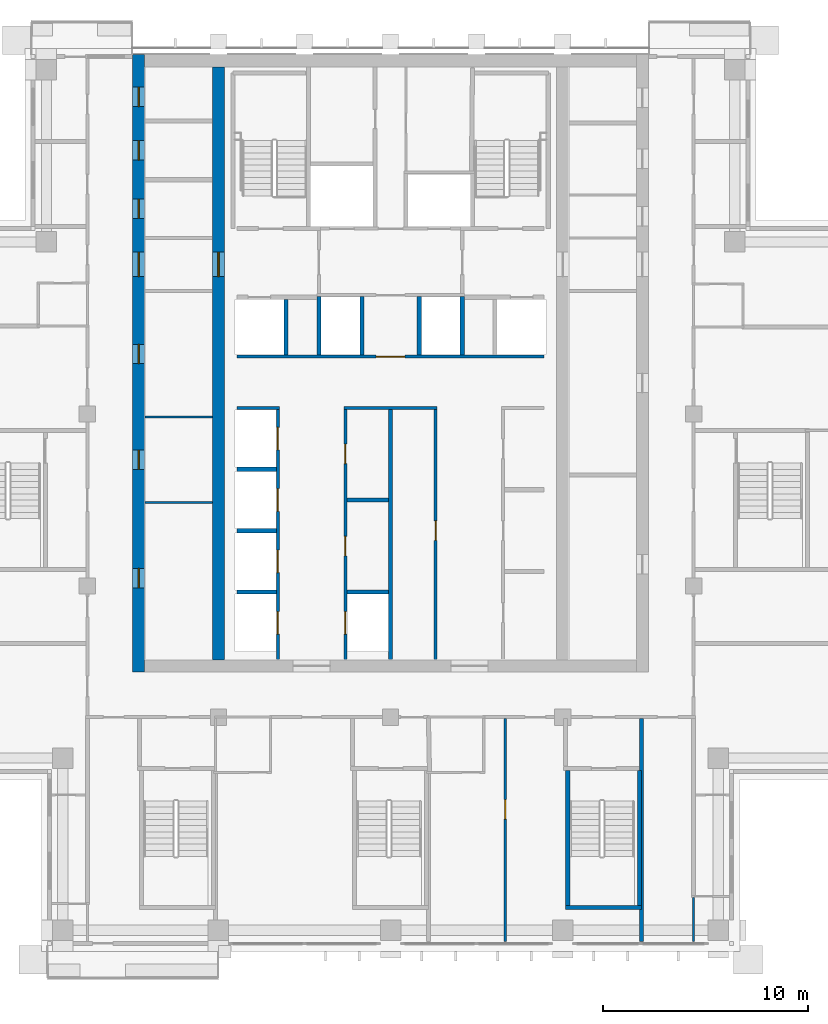
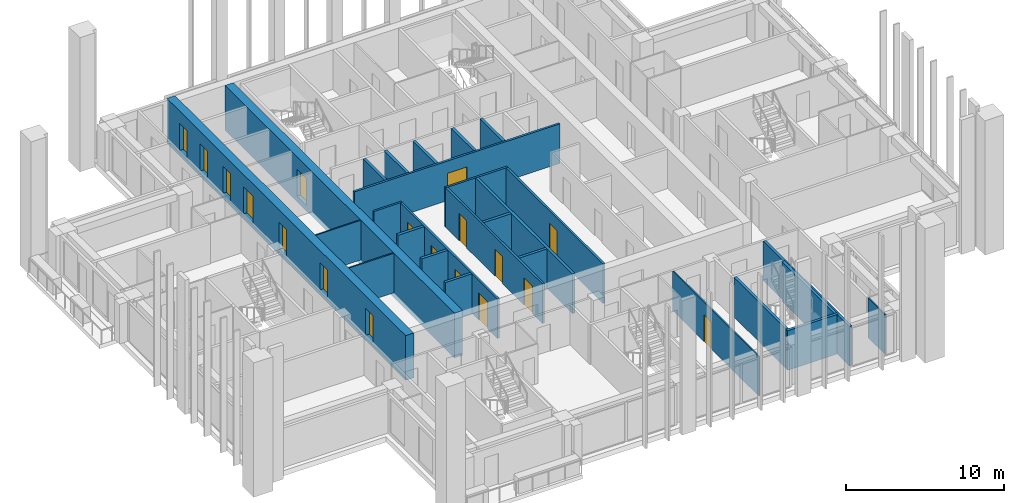
# One storey, part 9 of 17: 27 walls, 18 doors, 18 openings.
"""IFC4 building model written with IfcOpenShell, lengths in metres."""

from ifc_helpers import new_model, si_unit, direction, frame, frame_2d, origin, place, context, subcontext, project, spatial, rectangle, extrude, material, layer, layer_set, type_object, element, fill, save


model = new_model("IFC4")

# Units and contexts
model_context = context("Model", 3, precision=1e-05, world=origin(), true_north=direction((0.0, 1.0)))
body_context = subcontext(model_context, "Body", "Model", "MODEL_VIEW")
ifc_project = project(units=[si_unit("LENGTHUNIT", "METRE"), si_unit("AREAUNIT", "SQUARE_METRE"), si_unit("VOLUMEUNIT", "CUBIC_METRE"), si_unit("PLANEANGLEUNIT", "RADIAN"), si_unit("MASSUNIT", "GRAM", prefix="KILO")], contexts=[model_context])

# Site, building, storey
site_placement = place(None, origin())
site = spatial("IfcSite", under=ifc_project, at=site_placement, CompositionType="ELEMENT")
building_placement = place(site_placement, origin())
building = spatial("IfcBuilding", under=site, at=building_placement, Name="Vermilion Ogive Tower", CompositionType="ELEMENT")
storey_placement = place(building_placement, frame((0.0, 0.0, 175.550048828125)))
storey = spatial("IfcBuildingStorey", under=building, at=storey_placement, Name="L45", CompositionType="ELEMENT", Elevation=175.550048828125)

# Wall, openings, doors
ifc_material_1 = material(Name="Concrete B60", Category="concrete")
ifc_layer_1 = layer(ifc_material_1, 0.60009765625)
ifc_layer_set_1 = layer_set([ifc_layer_1], Name="Core wall 600 B60")
wall_type_1 = type_object("IfcWallType", Name="Core wall 600 B60", PredefinedType="SHEAR", material=ifc_layer_set_1)
wall_1_placement = place(storey_placement, frame((-12.300048828125, -8.39990234375, -0.400146484375), z_axis=(0.0, 0.0, 1.0), x_axis=(0.0, 1.0, 0.0)))
wall_1 = element("IfcWall", 1, at=wall_1_placement, inside=storey, type_object=wall_type_1, Name="L45-CORE-W", PredefinedType="SHEAR", context=body_context, shape_type="SweptSolid", body=[
    extrude(rectangle(XDim=30.14990234375, YDim=0.60009765625, at=frame_2d((15.074951171875, 0.0))), origin(), (0.0, 0.0, 1.0), 3.4501953125),
])
opening_1_placement = place(wall_1_placement, frame((4.112548828125, 0.0, 0.39990234375)))
opening_1 = element("IfcOpeningElement", 2, at=opening_1_placement, cuts=wall_1, Name="Opening DAD067", PredefinedType="OPENING", context=body_context, shape_type="SweptSolid", body=[
    extrude(rectangle(XDim=0.949951171875, YDim=2.10009765625, at=frame_2d((0.47509765625, 1.050048828125))), frame((0.0, 0.31005859375, 0.0), z_axis=(0.0, -1.0, 0.0), x_axis=(1.0, 0.0, 0.0)), (0.0, 0.0, 1.0), 0.6201171875),
])
opening_2_placement = place(wall_1_placement, frame((9.8896484375, 0.0, 0.39990234375)))
opening_2 = element("IfcOpeningElement", 3, at=opening_2_placement, cuts=wall_1, Name="Opening DAD068", PredefinedType="OPENING", context=body_context, shape_type="SweptSolid", body=[
    extrude(rectangle(XDim=0.949951171875, YDim=2.10009765625, at=frame_2d((0.47509765625, 1.050048828125))), frame((0.0, 0.31005859375, 0.0), z_axis=(0.0, -1.0, 0.0), x_axis=(1.0, 0.0, 0.0)), (0.0, 0.0, 1.0), 0.6201171875),
])
opening_3_placement = place(wall_1_placement, frame((15.052001953125, 0.0, 0.39990234375)))
opening_3 = element("IfcOpeningElement", 4, at=opening_3_placement, cuts=wall_1, Name="Opening DAD069", PredefinedType="OPENING", context=body_context, shape_type="SweptSolid", body=[
    extrude(rectangle(XDim=0.949951171875, YDim=2.10009765625, at=frame_2d((0.47509765625, 1.050048828125))), frame((0.0, 0.31005859375, 0.0), z_axis=(0.0, -1.0, 0.0), x_axis=(1.0, 0.0, 0.0)), (0.0, 0.0, 1.0), 0.6201171875),
])
opening_4_placement = place(wall_1_placement, frame((22.1435546875, 0.0, 0.39990234375)))
opening_4 = element("IfcOpeningElement", 5, at=opening_4_placement, cuts=wall_1, Name="Opening DAD070", PredefinedType="OPENING", context=body_context, shape_type="SweptSolid", body=[
    extrude(rectangle(XDim=0.949951171875, YDim=2.10009765625, at=frame_2d((0.47509765625, 1.050048828125))), frame((0.0, 0.31005859375, 0.0), z_axis=(0.0, -1.0, 0.0), x_axis=(1.0, 0.0, 0.0)), (0.0, 0.0, 1.0), 0.6201171875),
])
opening_5_placement = place(wall_1_placement, frame((24.998291015625, 0.0, 0.39990234375)))
opening_5 = element("IfcOpeningElement", 6, at=opening_5_placement, cuts=wall_1, Name="Opening DAD071", PredefinedType="OPENING", context=body_context, shape_type="SweptSolid", body=[
    extrude(rectangle(XDim=0.949951171875, YDim=2.10009765625, at=frame_2d((0.47509765625, 1.050048828125))), frame((0.0, 0.31005859375, 0.0), z_axis=(0.0, -1.0, 0.0), x_axis=(1.0, 0.0, 0.0)), (0.0, 0.0, 1.0), 0.6201171875),
])
opening_6_placement = place(wall_1_placement, frame((27.604736328125, 0.0, 0.39990234375)))
opening_6 = element("IfcOpeningElement", 7, at=opening_6_placement, cuts=wall_1, Name="Opening DAD072", PredefinedType="OPENING", context=body_context, shape_type="SweptSolid", body=[
    extrude(rectangle(XDim=0.949951171875, YDim=2.10009765625, at=frame_2d((0.47509765625, 1.050048828125))), frame((0.0, 0.31005859375, 0.0), z_axis=(0.0, -1.0, 0.0), x_axis=(1.0, 0.0, 0.0)), (0.0, 0.0, 1.0), 0.6201171875),
])
opening_7_placement = place(wall_1_placement, frame((19.300048828125, 0.0, 0.39990234375)))
opening_7 = element("IfcOpeningElement", 8, at=opening_7_placement, cuts=wall_1, Name="Opening DAM018", PredefinedType="OPENING", context=body_context, shape_type="SweptSolid", body=[
    extrude(rectangle(XDim=1.199951171875, YDim=2.10009765625, at=frame_2d((0.60009765625, 1.050048828125))), frame((0.0, 0.31005859375, 0.0), z_axis=(0.0, -1.0, 0.0), x_axis=(1.0, 0.0, 0.0)), (0.0, 0.0, 1.0), 0.6201171875),
])
ifc_material_2 = material(Name="Timber door leaf", Category="wood")
door_type_1 = type_object("IfcDoorType", Name="Link door 1200 x 2100 FD60S", OperationType="SINGLE_SWING_LEFT", PredefinedType="DOOR", material=ifc_material_2)
door_1_placement = place(opening_7_placement, origin())
door_1 = element("IfcDoor", 9, at=door_1_placement, inside=storey, type_object=door_type_1, Name="L45-CKW-XL", OperationType="SINGLE_SWING_LEFT", OverallHeight=2.10009765625, OverallWidth=1.199951171875, PredefinedType="DOOR", context=body_context, shape_type="SweptSolid", body=[
    extrude(rectangle(XDim=1.199951171875, YDim=2.10009765625, at=frame_2d((0.60009765625, 1.050048828125))), frame((0.0, 0.02490234375, 0.0), z_axis=(0.0, -1.0, 0.0), x_axis=(1.0, 0.0, 0.0)), (0.0, 0.0, 1.0), 0.050048828125),
])
fill(opening_7, door_1)
ifc_material_3 = material(Name="Timber door leaf", Category="wood")
door_type_2 = type_object("IfcDoorType", Name="Service door 950 x 2100 FD60", OperationType="SINGLE_SWING_LEFT", PredefinedType="DOOR", material=ifc_material_3)
door_2_placement = place(opening_1_placement, origin())
door_2 = element("IfcDoor", 10, at=door_2_placement, inside=storey, type_object=door_type_2, Name="L45-CKW-XR0", OperationType="SINGLE_SWING_LEFT", OverallHeight=2.10009765625, OverallWidth=0.949951171875, PredefinedType="DOOR", context=body_context, shape_type="SweptSolid", body=[
    extrude(rectangle(XDim=0.949951171875, YDim=2.10009765625, at=frame_2d((0.47509765625, 1.050048828125))), frame((0.0, 0.02490234375, 0.0), z_axis=(0.0, -1.0, 0.0), x_axis=(1.0, 0.0, 0.0)), (0.0, 0.0, 1.0), 0.050048828125),
])
fill(opening_1, door_2)
door_3_placement = place(opening_2_placement, origin())
door_3 = element("IfcDoor", 11, at=door_3_placement, inside=storey, type_object=door_type_2, Name="L45-CKW-XR1", OperationType="SINGLE_SWING_LEFT", OverallHeight=2.10009765625, OverallWidth=0.949951171875, PredefinedType="DOOR", context=body_context, shape_type="SweptSolid", body=[
    extrude(rectangle(XDim=0.949951171875, YDim=2.10009765625, at=frame_2d((0.47509765625, 1.050048828125))), frame((0.0, 0.02490234375, 0.0), z_axis=(0.0, -1.0, 0.0), x_axis=(1.0, 0.0, 0.0)), (0.0, 0.0, 1.0), 0.050048828125),
])
fill(opening_2, door_3)
door_4_placement = place(opening_3_placement, origin())
door_4 = element("IfcDoor", 12, at=door_4_placement, inside=storey, type_object=door_type_2, Name="L45-CKW-XR2", OperationType="SINGLE_SWING_LEFT", OverallHeight=2.10009765625, OverallWidth=0.949951171875, PredefinedType="DOOR", context=body_context, shape_type="SweptSolid", body=[
    extrude(rectangle(XDim=0.949951171875, YDim=2.10009765625, at=frame_2d((0.47509765625, 1.050048828125))), frame((0.0, 0.02490234375, 0.0), z_axis=(0.0, -1.0, 0.0), x_axis=(1.0, 0.0, 0.0)), (0.0, 0.0, 1.0), 0.050048828125),
])
fill(opening_3, door_4)
door_5_placement = place(opening_4_placement, origin())
door_5 = element("IfcDoor", 13, at=door_5_placement, inside=storey, type_object=door_type_2, Name="L45-CKW-XR3", OperationType="SINGLE_SWING_LEFT", OverallHeight=2.10009765625, OverallWidth=0.949951171875, PredefinedType="DOOR", context=body_context, shape_type="SweptSolid", body=[
    extrude(rectangle(XDim=0.949951171875, YDim=2.10009765625, at=frame_2d((0.47509765625, 1.050048828125))), frame((0.0, 0.02490234375, 0.0), z_axis=(0.0, -1.0, 0.0), x_axis=(1.0, 0.0, 0.0)), (0.0, 0.0, 1.0), 0.050048828125),
])
fill(opening_4, door_5)
door_6_placement = place(opening_5_placement, origin())
door_6 = element("IfcDoor", 14, at=door_6_placement, inside=storey, type_object=door_type_2, Name="L45-CKW-XR4", OperationType="SINGLE_SWING_LEFT", OverallHeight=2.10009765625, OverallWidth=0.949951171875, PredefinedType="DOOR", context=body_context, shape_type="SweptSolid", body=[
    extrude(rectangle(XDim=0.949951171875, YDim=2.10009765625, at=frame_2d((0.47509765625, 1.050048828125))), frame((0.0, 0.02490234375, 0.0), z_axis=(0.0, -1.0, 0.0), x_axis=(1.0, 0.0, 0.0)), (0.0, 0.0, 1.0), 0.050048828125),
])
fill(opening_5, door_6)
door_7_placement = place(opening_6_placement, origin())
door_7 = element("IfcDoor", 15, at=door_7_placement, inside=storey, type_object=door_type_2, Name="L45-CKW-XR5", OperationType="SINGLE_SWING_LEFT", OverallHeight=2.10009765625, OverallWidth=0.949951171875, PredefinedType="DOOR", context=body_context, shape_type="SweptSolid", body=[
    extrude(rectangle(XDim=0.949951171875, YDim=2.10009765625, at=frame_2d((0.47509765625, 1.050048828125))), frame((0.0, 0.02490234375, 0.0), z_axis=(0.0, -1.0, 0.0), x_axis=(1.0, 0.0, 0.0)), (0.0, 0.0, 1.0), 0.050048828125),
])
fill(opening_6, door_7)

# Wall, opening, door
wall_2_placement = place(storey_placement, frame((-8.39990234375, -7.800048828125, -0.400146484375), z_axis=(0.0, 0.0, 1.0), x_axis=(0.0, 1.0, 0.0)))
wall_2 = element("IfcWall", 16, at=wall_2_placement, inside=storey, type_object=wall_type_1, Name="L45-CORE-WEB1", PredefinedType="SHEAR", context=body_context, shape_type="SweptSolid", body=[
    extrude(rectangle(XDim=28.949951171875, YDim=0.60009765625, at=frame_2d((14.47509765625, 0.0))), origin(), (0.0, 0.0, 1.0), 3.4501953125),
])
opening_8_placement = place(wall_2_placement, frame((18.699951171875, 0.0, 0.39990234375)))
opening_8 = element("IfcOpeningElement", 17, at=opening_8_placement, cuts=wall_2, Name="Opening DAP013", PredefinedType="OPENING", context=body_context, shape_type="SweptSolid", body=[
    extrude(rectangle(XDim=1.199951171875, YDim=2.10009765625, at=frame_2d((0.60009765625, 1.050048828125))), frame((0.0, 0.31005859375, 0.0), z_axis=(0.0, -1.0, 0.0), x_axis=(1.0, 0.0, 0.0)), (0.0, 0.0, 1.0), 0.6201171875),
])
door_8_placement = place(opening_8_placement, origin())
door_8 = element("IfcDoor", 18, at=door_8_placement, inside=storey, type_object=door_type_1, Name="L45-CKW-XW", OperationType="SINGLE_SWING_LEFT", OverallHeight=2.10009765625, OverallWidth=1.199951171875, PredefinedType="DOOR", context=body_context, shape_type="SweptSolid", body=[
    extrude(rectangle(XDim=1.199951171875, YDim=2.10009765625, at=frame_2d((0.60009765625, 1.050048828125))), frame((0.0, 0.02490234375, 0.0), z_axis=(0.0, -1.0, 0.0), x_axis=(1.0, 0.0, 0.0)), (0.0, 0.0, 1.0), 0.050048828125),
])
fill(opening_8, door_8)

# Walls
ifc_material_4 = material(Name="Gypsum board partition on steel studs", Category="steel")
ifc_layer_2 = layer(ifc_material_4, 0.10009765625)
ifc_layer_set_2 = layer_set([ifc_layer_2], Name="Partition 100 bath")
wall_type_2 = type_object("IfcWallType", Name="Partition 100 bath", PredefinedType="PARTITIONING", material=ifc_layer_set_2)
wall_3_placement = place(storey_placement, frame((14.800048828125, -21.550048828125, 0.0), z_axis=(0.0, 0.0, 1.0), x_axis=(0.0, 1.0, 0.0)))
element("IfcWall", 19, at=wall_3_placement, inside=storey, type_object=wall_type_2, Name="L45-W-W070", PredefinedType="PARTITIONING", context=body_context, shape_type="SweptSolid", body=[
    extrude(rectangle(XDim=2.150146484375, YDim=0.10009765625, at=frame_2d((1.0751953125, 0.0))), origin(), (0.0, 0.0, 1.0), 3.050048828125),
])
for number, where, z_axis, x_axis, name in (
    (20, (-11.9990234375, -0.125, 0.0), (0.0, 0.0, 1.0), (1.0, 0.0, 0.0), "L45-CKW-W-W001"),
    (21, (-11.9990234375, 4.053955078125, 0.0), (0.0, 0.0, 1.0), (1.0, 0.0, 0.0), "L45-CKW-W-W002"),
):
    element("IfcWall", number, at=place(storey_placement, frame(where, z_axis=z_axis, x_axis=x_axis)), inside=storey, type_object=wall_type_2, Name=name, PredefinedType="PARTITIONING", context=body_context, shape_type="SweptSolid", body=[
        extrude(rectangle(XDim=3.298095703125, YDim=0.10009765625, at=frame_2d((1.64892578125, 0.0))), origin(), (0.0, 0.0, 1.0), 3.050048828125),
    ])

# Wall, opening, door
ifc_material_5 = material(Name="Gypsum board partition on steel studs", Category="steel")
ifc_layer_3 = layer(ifc_material_5, 0.10009765625)
ifc_layer_set_3 = layer_set([ifc_layer_3], Name="Partition 100 inner")
wall_type_3 = type_object("IfcWallType", Name="Partition 100 inner", PredefinedType="PARTITIONING", material=ifc_layer_set_3)
wall_4_placement = place(storey_placement, frame((5.60009765625, -21.550048828125, 0.0), z_axis=(0.0, 0.0, 1.0), x_axis=(0.0, 1.0, 0.0)))
wall_4 = element("IfcWall", 22, at=wall_4_placement, inside=storey, type_object=wall_type_3, Name="L45-W-W065", PredefinedType="PARTITIONING", context=body_context, shape_type="SweptSolid", body=[
    extrude(rectangle(XDim=10.875, YDim=0.10009765625, at=frame_2d((5.4375, 0.0))), origin(), (0.0, 0.0, 1.0), 3.050048828125),
])
opening_9_placement = place(wall_4_placement, frame((5.97509765625, 0.0, 0.0)))
opening_9 = element("IfcOpeningElement", 23, at=opening_9_placement, cuts=wall_4, Name="Opening D4G1015", PredefinedType="OPENING", context=body_context, shape_type="SweptSolid", body=[
    extrude(rectangle(XDim=0.949951171875, YDim=2.10009765625, at=frame_2d((0.47509765625, 1.050048828125))), frame((0.0, 0.06005859375, 0.0), z_axis=(0.0, -1.0, 0.0), x_axis=(1.0, 0.0, 0.0)), (0.0, 0.0, 1.0), 0.1201171875),
])
ifc_material_6 = material(Name="Timber door leaf", Category="wood")
door_type_3 = type_object("IfcDoorType", Name="Inner door 950 x 2100 FD30", OperationType="SINGLE_SWING_LEFT", PredefinedType="DOOR", material=ifc_material_6)
door_9_placement = place(opening_9_placement, origin())
door_9 = element("IfcDoor", 24, at=door_9_placement, inside=storey, type_object=door_type_3, Name="L45-D-D015", OperationType="SINGLE_SWING_RIGHT", OverallHeight=2.10009765625, OverallWidth=0.949951171875, PredefinedType="DOOR", context=body_context, shape_type="SweptSolid", body=[
    extrude(rectangle(XDim=0.949951171875, YDim=2.10009765625, at=frame_2d((0.47509765625, 1.050048828125))), frame((0.0, 0.02490234375, 0.0), z_axis=(0.0, -1.0, 0.0), x_axis=(1.0, 0.0, 0.0)), (0.0, 0.0, 1.0), 0.050048828125),
])
fill(opening_9, door_9)

# Walls
ifc_material_7 = material(Name="Gypsum board partition on steel studs", Category="steel")
ifc_layer_4 = layer(ifc_material_7, 0.14990234375)
ifc_layer_set_4 = layer_set([ifc_layer_4], Name="Partition 150 corridor")
wall_type_4 = type_object("IfcWallType", Name="Partition 150 corridor", PredefinedType="PARTITIONING", material=ifc_layer_set_4)
wall_5_placement = place(storey_placement, frame((-7.5, 4.5, 0.0), z_axis=(0.0, 0.0, 1.0), x_axis=(1.0, 0.0, 0.0)))
element("IfcWall", 25, at=wall_5_placement, inside=storey, type_object=wall_type_4, Name="L45-CK-W-W008", PredefinedType="PARTITIONING", context=body_context, shape_type="SweptSolid", body=[
    extrude(rectangle(XDim=2.074951171875, YDim=0.14990234375, at=frame_2d((1.03759765625, 0.0))), origin(), (0.0, 0.0, 1.0), 3.050048828125),
])
wall_6_placement = place(storey_placement, frame((-2.27490234375, 4.5, 0.0), z_axis=(0.0, 0.0, 1.0), x_axis=(1.0, 0.0, 0.0)))
element("IfcWall", 26, at=wall_6_placement, inside=storey, type_object=wall_type_4, Name="L45-CK-W-W009", PredefinedType="PARTITIONING", context=body_context, shape_type="SweptSolid", body=[
    extrude(rectangle(XDim=4.5498046875, YDim=0.14990234375, at=frame_2d((2.27490234375, 0.0))), origin(), (0.0, 0.0, 1.0), 3.050048828125),
])

# Wall, opening, door
wall_7_placement = place(storey_placement, frame((-7.5, 7.0, 0.0), z_axis=(0.0, 0.0, 1.0), x_axis=(1.0, 0.0, 0.0)))
wall_7 = element("IfcWall", 27, at=wall_7_placement, inside=storey, type_object=wall_type_4, Name="L45-CK-W-W011", PredefinedType="PARTITIONING", context=body_context, shape_type="SweptSolid", body=[
    extrude(rectangle(XDim=15.0, YDim=0.14990234375, at=frame_2d((7.5, 0.0))), origin(), (0.0, 0.0, 1.0), 3.050048828125),
])
opening_10_placement = place(wall_7_placement, frame((6.800048828125, 0.0, 0.0)))
opening_10 = element("IfcOpeningElement", 28, at=opening_10_placement, cuts=wall_7, Name="Opening DAA397", PredefinedType="OPENING", context=body_context, shape_type="SweptSolid", body=[
    extrude(rectangle(XDim=1.39990234375, YDim=2.10009765625, at=frame_2d((0.699951171875, 1.050048828125))), frame((0.0, 0.0849609375, 0.0), z_axis=(0.0, -1.0, 0.0), x_axis=(1.0, 0.0, 0.0)), (0.0, 0.0, 1.0), 0.169921875),
])
ifc_material_8 = material(Name="Timber door leaf", Category="wood")
door_type_4 = type_object("IfcDoorType", Name="Lobby door 1400 x 2100 FD60S", OperationType="SINGLE_SWING_LEFT", PredefinedType="DOOR", material=ifc_material_8)
door_10_placement = place(opening_10_placement, origin())
door_10 = element("IfcDoor", 29, at=door_10_placement, inside=storey, type_object=door_type_4, Name="L45-CK-D-D016", OperationType="SINGLE_SWING_RIGHT", OverallHeight=2.10009765625, OverallWidth=1.39990234375, PredefinedType="DOOR", context=body_context, shape_type="SweptSolid", body=[
    extrude(rectangle(XDim=1.39990234375, YDim=2.10009765625, at=frame_2d((0.699951171875, 1.050048828125))), frame((0.0, 0.02490234375, 0.0), z_axis=(0.0, -1.0, 0.0), x_axis=(1.0, 0.0, 0.0)), (0.0, 0.0, 1.0), 0.050048828125),
])
fill(opening_10, door_10)

# Wall, openings, doors
wall_8_placement = place(storey_placement, frame((-5.5, -7.799072265625, 0.0), z_axis=(0.0, 0.0, 1.0), x_axis=(0.0, 1.0, 0.0)))
wall_8 = element("IfcWall", 30, at=wall_8_placement, inside=storey, type_object=wall_type_4, Name="L45-CK-W-W020", PredefinedType="PARTITIONING", context=body_context, shape_type="SweptSolid", body=[
    extrude(rectangle(XDim=12.22412109375, YDim=0.14990234375, at=frame_2d((6.112060546875, 0.0))), origin(), (0.0, 0.0, 1.0), 3.050048828125),
])
opening_11_placement = place(wall_8_placement, frame((1.2490234375, 0.0, 0.0)))
opening_11 = element("IfcOpeningElement", 31, at=opening_11_placement, cuts=wall_8, Name="Opening DAA410", PredefinedType="OPENING", context=body_context, shape_type="SweptSolid", body=[
    extrude(rectangle(XDim=1.10009765625, YDim=2.10009765625, at=frame_2d((0.550048828125, 1.050048828125))), frame((0.0, 0.0849609375, 0.0), z_axis=(0.0, -1.0, 0.0), x_axis=(1.0, 0.0, 0.0)), (0.0, 0.0, 1.0), 0.169921875),
])
opening_12_placement = place(wall_8_placement, frame((4.2490234375, 0.0, 0.0)))
opening_12 = element("IfcOpeningElement", 32, at=opening_12_placement, cuts=wall_8, Name="Opening DAA411", PredefinedType="OPENING", context=body_context, shape_type="SweptSolid", body=[
    extrude(rectangle(XDim=1.10009765625, YDim=2.10009765625, at=frame_2d((0.550048828125, 1.050048828125))), frame((0.0, 0.0849609375, 0.0), z_axis=(0.0, -1.0, 0.0), x_axis=(1.0, 0.0, 0.0)), (0.0, 0.0, 1.0), 0.169921875),
])
opening_13_placement = place(wall_8_placement, frame((7.2490234375, 0.0, 0.0)))
opening_13 = element("IfcOpeningElement", 33, at=opening_13_placement, cuts=wall_8, Name="Opening DAA412", PredefinedType="OPENING", context=body_context, shape_type="SweptSolid", body=[
    extrude(rectangle(XDim=1.10009765625, YDim=2.10009765625, at=frame_2d((0.550048828125, 1.050048828125))), frame((0.0, 0.0849609375, 0.0), z_axis=(0.0, -1.0, 0.0), x_axis=(1.0, 0.0, 0.0)), (0.0, 0.0, 1.0), 0.169921875),
])
opening_14_placement = place(wall_8_placement, frame((10.2490234375, 0.0, 0.0)))
opening_14 = element("IfcOpeningElement", 34, at=opening_14_placement, cuts=wall_8, Name="Opening DAA413", PredefinedType="OPENING", context=body_context, shape_type="SweptSolid", body=[
    extrude(rectangle(XDim=1.10009765625, YDim=2.10009765625, at=frame_2d((0.550048828125, 1.050048828125))), frame((0.0, 0.0849609375, 0.0), z_axis=(0.0, -1.0, 0.0), x_axis=(1.0, 0.0, 0.0)), (0.0, 0.0, 1.0), 0.169921875),
])
ifc_material_9 = material(Name="Stainless steel", Category="steel")
door_type_5 = type_object("IfcDoorType", Name="Lift landing door 1100 x 2100", OperationType="SLIDING_TO_LEFT", PredefinedType="DOOR", material=ifc_material_9)
door_11_placement = place(opening_11_placement, origin())
door_11 = element("IfcDoor", 35, at=door_11_placement, inside=storey, type_object=door_type_5, Name="L45-CK-D-D001", OperationType="SLIDING_TO_LEFT", OverallHeight=2.10009765625, OverallWidth=1.10009765625, PredefinedType="DOOR", context=body_context, shape_type="SweptSolid", body=[
    extrude(rectangle(XDim=1.10009765625, YDim=2.10009765625, at=frame_2d((0.550048828125, 1.050048828125))), frame((0.0, 0.02490234375, 0.0), z_axis=(0.0, -1.0, 0.0), x_axis=(1.0, 0.0, 0.0)), (0.0, 0.0, 1.0), 0.050048828125),
])
fill(opening_11, door_11)
door_12_placement = place(opening_12_placement, origin())
door_12 = element("IfcDoor", 36, at=door_12_placement, inside=storey, type_object=door_type_5, Name="L45-CK-D-D002", OperationType="SLIDING_TO_LEFT", OverallHeight=2.10009765625, OverallWidth=1.10009765625, PredefinedType="DOOR", context=body_context, shape_type="SweptSolid", body=[
    extrude(rectangle(XDim=1.10009765625, YDim=2.10009765625, at=frame_2d((0.550048828125, 1.050048828125))), frame((0.0, 0.02490234375, 0.0), z_axis=(0.0, -1.0, 0.0), x_axis=(1.0, 0.0, 0.0)), (0.0, 0.0, 1.0), 0.050048828125),
])
fill(opening_12, door_12)
door_13_placement = place(opening_13_placement, origin())
door_13 = element("IfcDoor", 37, at=door_13_placement, inside=storey, type_object=door_type_5, Name="L45-CK-D-D003", OperationType="SLIDING_TO_LEFT", OverallHeight=2.10009765625, OverallWidth=1.10009765625, PredefinedType="DOOR", context=body_context, shape_type="SweptSolid", body=[
    extrude(rectangle(XDim=1.10009765625, YDim=2.10009765625, at=frame_2d((0.550048828125, 1.050048828125))), frame((0.0, 0.02490234375, 0.0), z_axis=(0.0, -1.0, 0.0), x_axis=(1.0, 0.0, 0.0)), (0.0, 0.0, 1.0), 0.050048828125),
])
fill(opening_13, door_13)
door_14_placement = place(opening_14_placement, origin())
door_14 = element("IfcDoor", 38, at=door_14_placement, inside=storey, type_object=door_type_5, Name="L45-CK-D-D004", OperationType="SLIDING_TO_LEFT", OverallHeight=2.10009765625, OverallWidth=1.10009765625, PredefinedType="DOOR", context=body_context, shape_type="SweptSolid", body=[
    extrude(rectangle(XDim=1.10009765625, YDim=2.10009765625, at=frame_2d((0.550048828125, 1.050048828125))), frame((0.0, 0.02490234375, 0.0), z_axis=(0.0, -1.0, 0.0), x_axis=(1.0, 0.0, 0.0)), (0.0, 0.0, 1.0), 0.050048828125),
])
fill(opening_14, door_14)

wall_9_placement = place(storey_placement, frame((-2.199951171875, -7.799072265625, 0.0), z_axis=(0.0, 0.0, 1.0), x_axis=(0.0, 1.0, 0.0)))
wall_9 = element("IfcWall", 39, at=wall_9_placement, inside=storey, type_object=wall_type_4, Name="L45-CK-W-W025", PredefinedType="PARTITIONING", context=body_context, shape_type="SweptSolid", body=[
    extrude(rectangle(XDim=12.22412109375, YDim=0.14990234375, at=frame_2d((6.112060546875, 0.0))), origin(), (0.0, 0.0, 1.0), 3.050048828125),
])
opening_15_placement = place(wall_9_placement, frame((1.2490234375, 0.0, 0.0)))
opening_15 = element("IfcOpeningElement", 40, at=opening_15_placement, cuts=wall_9, Name="Opening DAA414", PredefinedType="OPENING", context=body_context, shape_type="SweptSolid", body=[
    extrude(rectangle(XDim=1.10009765625, YDim=2.10009765625, at=frame_2d((0.550048828125, 1.050048828125))), frame((0.0, 0.0849609375, 0.0), z_axis=(0.0, -1.0, 0.0), x_axis=(1.0, 0.0, 0.0)), (0.0, 0.0, 1.0), 0.169921875),
])
opening_16_placement = place(wall_9_placement, frame((5.073974609375, 0.0, 0.0)))
opening_16 = element("IfcOpeningElement", 41, at=opening_16_placement, cuts=wall_9, Name="Opening DAA400", PredefinedType="OPENING", context=body_context, shape_type="SweptSolid", body=[
    extrude(rectangle(XDim=0.949951171875, YDim=2.10009765625, at=frame_2d((0.47509765625, 1.050048828125))), frame((0.0, 0.0849609375, 0.0), z_axis=(0.0, -1.0, 0.0), x_axis=(1.0, 0.0, 0.0)), (0.0, 0.0, 1.0), 0.169921875),
])
opening_17_placement = place(wall_9_placement, frame((9.573974609375, 0.0, 0.0)))
opening_17 = element("IfcOpeningElement", 42, at=opening_17_placement, cuts=wall_9, Name="Opening DAA401", PredefinedType="OPENING", context=body_context, shape_type="SweptSolid", body=[
    extrude(rectangle(XDim=0.949951171875, YDim=2.10009765625, at=frame_2d((0.47509765625, 1.050048828125))), frame((0.0, 0.0849609375, 0.0), z_axis=(0.0, -1.0, 0.0), x_axis=(1.0, 0.0, 0.0)), (0.0, 0.0, 1.0), 0.169921875),
])
door_15_placement = place(opening_15_placement, origin())
door_15 = element("IfcDoor", 43, at=door_15_placement, inside=storey, type_object=door_type_5, Name="L45-CK-D-D005", OperationType="SLIDING_TO_LEFT", OverallHeight=2.10009765625, OverallWidth=1.10009765625, PredefinedType="DOOR", context=body_context, shape_type="SweptSolid", body=[
    extrude(rectangle(XDim=1.10009765625, YDim=2.10009765625, at=frame_2d((0.550048828125, 1.050048828125))), frame((0.0, 0.02490234375, 0.0), z_axis=(0.0, -1.0, 0.0), x_axis=(1.0, 0.0, 0.0)), (0.0, 0.0, 1.0), 0.050048828125),
])
fill(opening_15, door_15)
door_16_placement = place(opening_16_placement, origin())
door_16 = element("IfcDoor", 44, at=door_16_placement, inside=storey, type_object=door_type_2, Name="L45-CK-D-D006", OperationType="SINGLE_SWING_LEFT", OverallHeight=2.10009765625, OverallWidth=0.949951171875, PredefinedType="DOOR", context=body_context, shape_type="SweptSolid", body=[
    extrude(rectangle(XDim=0.949951171875, YDim=2.10009765625, at=frame_2d((0.47509765625, 1.050048828125))), frame((0.0, 0.02490234375, 0.0), z_axis=(0.0, -1.0, 0.0), x_axis=(1.0, 0.0, 0.0)), (0.0, 0.0, 1.0), 0.050048828125),
])
fill(opening_16, door_16)
door_17_placement = place(opening_17_placement, origin())
door_17 = element("IfcDoor", 45, at=door_17_placement, inside=storey, type_object=door_type_2, Name="L45-CK-D-D007", OperationType="SINGLE_SWING_RIGHT", OverallHeight=2.10009765625, OverallWidth=0.949951171875, PredefinedType="DOOR", context=body_context, shape_type="SweptSolid", body=[
    extrude(rectangle(XDim=0.949951171875, YDim=2.10009765625, at=frame_2d((0.47509765625, 1.050048828125))), frame((0.0, 0.02490234375, 0.0), z_axis=(0.0, -1.0, 0.0), x_axis=(1.0, 0.0, 0.0)), (0.0, 0.0, 1.0), 0.050048828125),
])
fill(opening_17, door_17)

# Wall, opening, door
wall_10_placement = place(storey_placement, frame((2.199951171875, -7.799072265625, 0.0), z_axis=(0.0, 0.0, 1.0), x_axis=(0.0, 1.0, 0.0)))
wall_10 = element("IfcWall", 46, at=wall_10_placement, inside=storey, type_object=wall_type_4, Name="L45-CK-W-W032", PredefinedType="PARTITIONING", context=body_context, shape_type="SweptSolid", body=[
    extrude(rectangle(XDim=12.22412109375, YDim=0.14990234375, at=frame_2d((6.112060546875, 0.0))), origin(), (0.0, 0.0, 1.0), 3.050048828125),
])
opening_18_placement = place(wall_10_placement, frame((5.823974609375, 0.0, 0.0)))
opening_18 = element("IfcOpeningElement", 47, at=opening_18_placement, cuts=wall_10, Name="Opening DAA402", PredefinedType="OPENING", context=body_context, shape_type="SweptSolid", body=[
    extrude(rectangle(XDim=0.949951171875, YDim=2.10009765625, at=frame_2d((0.47509765625, 1.050048828125))), frame((0.0, 0.0849609375, 0.0), z_axis=(0.0, -1.0, 0.0), x_axis=(1.0, 0.0, 0.0)), (0.0, 0.0, 1.0), 0.169921875),
])
door_18_placement = place(opening_18_placement, origin())
door_18 = element("IfcDoor", 48, at=door_18_placement, inside=storey, type_object=door_type_2, Name="L45-CK-D-D008", OperationType="SINGLE_SWING_RIGHT", OverallHeight=2.10009765625, OverallWidth=0.949951171875, PredefinedType="DOOR", context=body_context, shape_type="SweptSolid", body=[
    extrude(rectangle(XDim=0.949951171875, YDim=2.10009765625, at=frame_2d((0.47509765625, 1.050048828125))), frame((0.0, 0.02490234375, 0.0), z_axis=(0.0, -1.0, 0.0), x_axis=(1.0, 0.0, 0.0)), (0.0, 0.0, 1.0), 0.050048828125),
])
fill(opening_18, door_18)

# Walls
ifc_material_10 = material(Name="Gypsum board partition on steel studs", Category="steel")
ifc_layer_5 = layer(ifc_material_10, 0.199951171875)
ifc_layer_set_5 = layer_set([ifc_layer_5], Name="Partition 200 party")
wall_type_5 = type_object("IfcWallType", Name="Partition 200 party", PredefinedType="PARTITIONING", material=ifc_layer_set_5)
wall_11_placement = place(storey_placement, frame((-7.5, -4.5, 0.0), z_axis=(0.0, 0.0, 1.0), x_axis=(1.0, 0.0, 0.0)))
element("IfcWall", 49, at=wall_11_placement, inside=storey, type_object=wall_type_5, Name="L45-CK-W-W001", PredefinedType="PARTITIONING", context=body_context, shape_type="SweptSolid", body=[
    extrude(rectangle(XDim=1.925048828125, YDim=0.199951171875, at=frame_2d((0.96240234375, 0.0))), origin(), (0.0, 0.0, 1.0), 3.050048828125),
])
wall_12_placement = place(storey_placement, frame((-2.125, -4.5, 0.0), z_axis=(0.0, 0.0, 1.0), x_axis=(1.0, 0.0, 0.0)))
element("IfcWall", 50, at=wall_12_placement, inside=storey, type_object=wall_type_5, Name="L45-CK-W-W002", PredefinedType="PARTITIONING", context=body_context, shape_type="SweptSolid", body=[
    extrude(rectangle(XDim=2.02490234375, YDim=0.199951171875, at=frame_2d((1.012451171875, 0.0))), origin(), (0.0, 0.0, 1.0), 3.050048828125),
])
wall_13_placement = place(storey_placement, frame((-7.5, -1.5, 0.0), z_axis=(0.0, 0.0, 1.0), x_axis=(1.0, 0.0, 0.0)))
element("IfcWall", 51, at=wall_13_placement, inside=storey, type_object=wall_type_5, Name="L45-CK-W-W004", PredefinedType="PARTITIONING", context=body_context, shape_type="SweptSolid", body=[
    extrude(rectangle(XDim=1.925048828125, YDim=0.199951171875, at=frame_2d((0.96240234375, 0.0))), origin(), (0.0, 0.0, 1.0), 3.050048828125),
])
wall_14_placement = place(storey_placement, frame((-2.125, 0.0, 0.0), z_axis=(0.0, 0.0, 1.0), x_axis=(1.0, 0.0, 0.0)))
element("IfcWall", 52, at=wall_14_placement, inside=storey, type_object=wall_type_5, Name="L45-CK-W-W005", PredefinedType="PARTITIONING", context=body_context, shape_type="SweptSolid", body=[
    extrude(rectangle(XDim=2.02490234375, YDim=0.199951171875, at=frame_2d((1.012451171875, 0.0))), origin(), (0.0, 0.0, 1.0), 3.050048828125),
])
wall_15_placement = place(storey_placement, frame((-7.5, 1.5, 0.0), z_axis=(0.0, 0.0, 1.0), x_axis=(1.0, 0.0, 0.0)))
element("IfcWall", 53, at=wall_15_placement, inside=storey, type_object=wall_type_5, Name="L45-CK-W-W007", PredefinedType="PARTITIONING", context=body_context, shape_type="SweptSolid", body=[
    extrude(rectangle(XDim=1.925048828125, YDim=0.199951171875, at=frame_2d((0.96240234375, 0.0))), origin(), (0.0, 0.0, 1.0), 3.050048828125),
])
wall_16_placement = place(storey_placement, frame((-5.10009765625, 7.074951171875, 0.0), z_axis=(0.0, 0.0, 1.0), x_axis=(0.0, 1.0, 0.0)))
element("IfcWall", 54, at=wall_16_placement, inside=storey, type_object=wall_type_5, Name="L45-CK-W-W021", PredefinedType="PARTITIONING", context=body_context, shape_type="SweptSolid", body=[
    extrude(rectangle(XDim=2.72509765625, YDim=0.199951171875, at=frame_2d((1.362548828125, 0.0))), origin(), (0.0, 0.0, 1.0), 3.050048828125),
])
for number, where, z_axis, x_axis, name in (
    (55, (-3.5, 7.074951171875, 0.0), (0.0, 0.0, 1.0), (0.0, 1.0, 0.0), "L45-CK-W-W023"),
    (56, (-1.39990234375, 7.074951171875, 0.0), (0.0, 0.0, 1.0), (0.0, 1.0, 0.0), "L45-CK-W-W026"),
):
    element("IfcWall", number, at=place(storey_placement, frame(where, z_axis=z_axis, x_axis=x_axis)), inside=storey, type_object=wall_type_5, Name=name, PredefinedType="PARTITIONING", context=body_context, shape_type="SweptSolid", body=[
        extrude(rectangle(XDim=2.85009765625, YDim=0.199951171875, at=frame_2d((1.425048828125, 0.0))), origin(), (0.0, 0.0, 1.0), 3.050048828125),
    ])
wall_17_placement = place(storey_placement, frame((0.0, -7.799072265625, 0.0), z_axis=(0.0, 0.0, 1.0), x_axis=(0.0, 1.0, 0.0)))
element("IfcWall", 57, at=wall_17_placement, inside=storey, type_object=wall_type_5, Name="L45-CK-W-W028", PredefinedType="PARTITIONING", context=body_context, shape_type="SweptSolid", body=[
    extrude(rectangle(XDim=12.22412109375, YDim=0.199951171875, at=frame_2d((6.112060546875, 0.0))), origin(), (0.0, 0.0, 1.0), 3.050048828125),
])
for number, where, z_axis, x_axis, name in (
    (58, (1.39990234375, 7.074951171875, 0.0), (0.0, 0.0, 1.0), (0.0, 1.0, 0.0), "L45-CK-W-W031"),
    (59, (3.5, 7.074951171875, 0.0), (0.0, 0.0, 1.0), (0.0, 1.0, 0.0), "L45-CK-W-W033"),
):
    element("IfcWall", number, at=place(storey_placement, frame(where, z_axis=z_axis, x_axis=x_axis)), inside=storey, type_object=wall_type_5, Name=name, PredefinedType="PARTITIONING", context=body_context, shape_type="SweptSolid", body=[
        extrude(rectangle(XDim=2.85009765625, YDim=0.199951171875, at=frame_2d((1.425048828125, 0.0))), origin(), (0.0, 0.0, 1.0), 3.050048828125),
    ])
ifc_material_11 = material(Name="Concrete B60", Category="concrete")
ifc_layer_6 = layer(ifc_material_11, 0.199951171875)
ifc_layer_set_6 = layer_set([ifc_layer_6], Name="Stair shaft wall 200 Concrete B60")
wall_type_6 = type_object("IfcWallType", Name="Stair shaft wall 200 Concrete B60", PredefinedType="SOLIDWALL", material=ifc_layer_set_6)
wall_18_placement = place(storey_placement, frame((8.552001953125, -19.89990234375, 0.0), z_axis=(0.0, 0.0, 1.0), x_axis=(1.0, 0.0, 0.0)))
element("IfcWall", 60, at=wall_18_placement, inside=storey, type_object=wall_type_6, Name="L45-W-W004", PredefinedType="SOLIDWALL", context=body_context, shape_type="SweptSolid", body=[
    extrude(rectangle(XDim=3.696044921875, YDim=0.199951171875, at=frame_2d((1.84814453125, 0.0))), origin(), (0.0, 0.0, 1.0), 3.050048828125),
])
for number, where, z_axis, x_axis, name in (
    (61, (8.64990234375, -19.798095703125, 0.0), (0.0, 0.0, 1.0), (0.0, 1.0, 0.0), "L45-W-W067"),
    (62, (12.14990234375, -19.798095703125, 0.0), (0.0, 0.0, 1.0), (0.0, 1.0, 0.0), "L45-W-W068"),
):
    element("IfcWall", number, at=place(storey_placement, frame(where, z_axis=z_axis, x_axis=x_axis)), inside=storey, type_object=wall_type_6, Name=name, PredefinedType="SOLIDWALL", context=body_context, shape_type="SweptSolid", body=[
        extrude(rectangle(XDim=6.59619140625, YDim=0.199951171875, at=frame_2d((3.298095703125, 0.0))), origin(), (0.0, 0.0, 1.0), 3.050048828125),
    ])
wall_19_placement = place(storey_placement, frame((12.25, -21.550048828125, 0.0), z_axis=(0.0, 0.0, 1.0), x_axis=(0.0, 1.0, 0.0)))
element("IfcWall", 63, at=wall_19_placement, inside=storey, type_object=wall_type_6, Name="L45-W-W069-A", PredefinedType="SOLIDWALL", context=body_context, shape_type="SweptSolid", body=[
    extrude(rectangle(XDim=10.875, YDim=0.199951171875, at=frame_2d((5.4375, 0.0))), origin(), (0.0, 0.0, 1.0), 3.050048828125),
])

save(model, "model.ifc")
